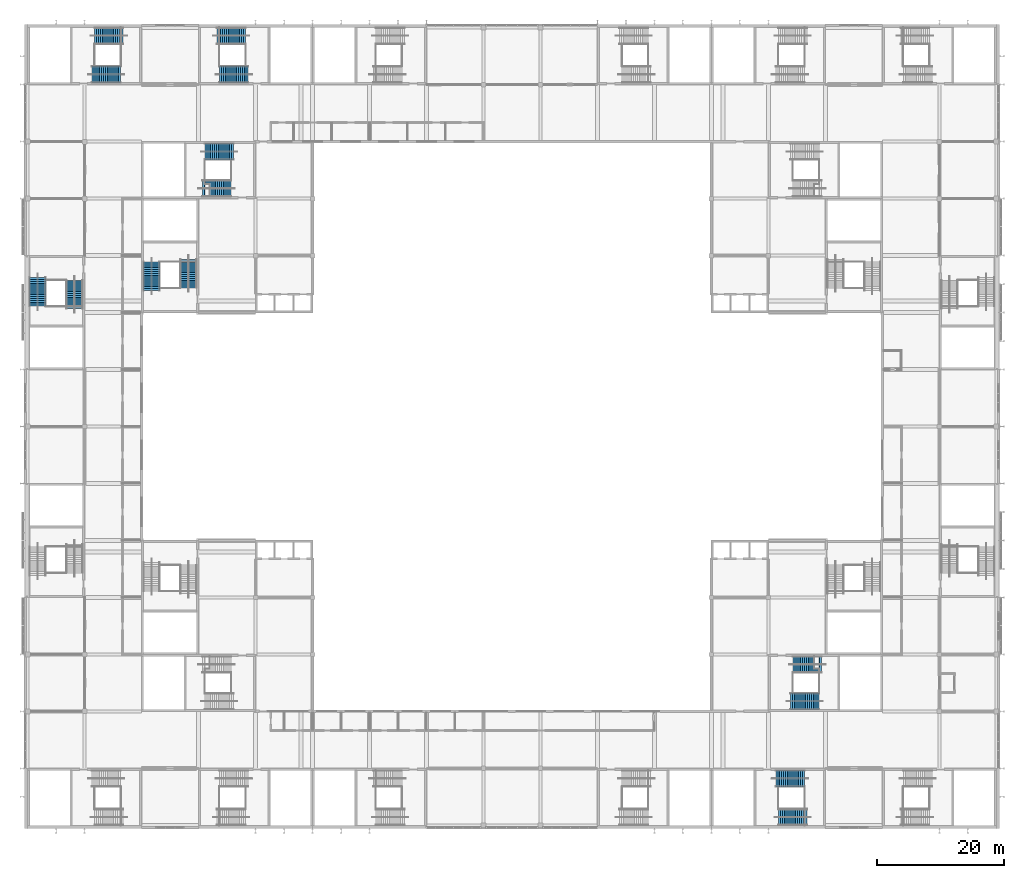
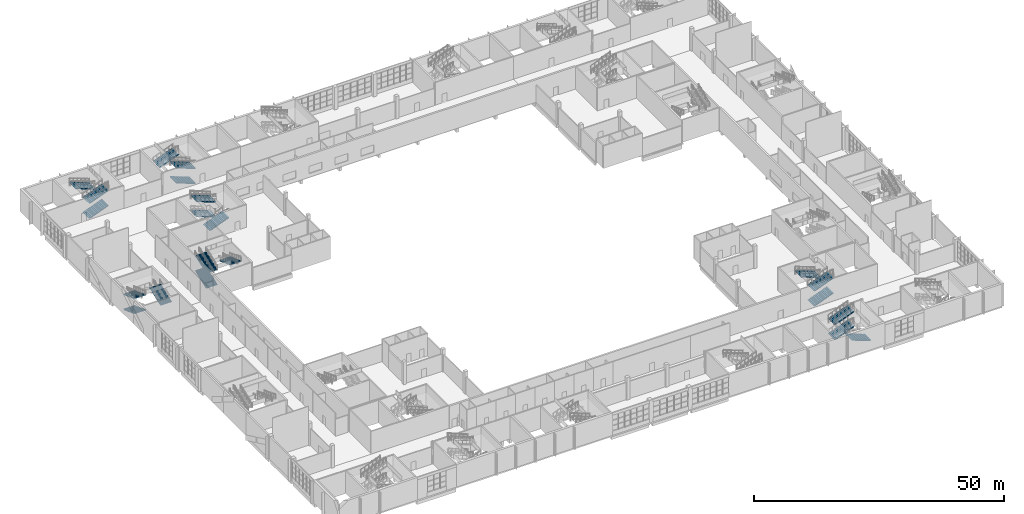
# One storey, part 45 of 84: 21 stair flights, 7 elements without a shape of their own.
"""IFC4 building model written with IfcOpenShell, lengths in metres."""

import ifcopenshell
import ifcopenshell.guid

model = None  # the IFC model being written
_history = None  # IfcOwnerHistory: only IFC2X3 demands one
_inside = {}  # id of a spatial element -> (the spatial element, [elements in it])
_under = {}  # id of a project, library or spatial element -> (it, [spatial elements below it])
_declared = {}  # id of a project -> (the project, [libraries it declares])
_typed = {}  # id of a type object -> (the type object, [elements of that type])
_made_of = {}  # id of a material, layer set ... -> (it, [elements and type objects made of it])


def new_model(schema):
    """Start an empty IFC model of exactly this schema.

    Asked for "IFC4X3", IfcOpenShell would pick the latest addendum, in which some entities
    have other attributes; the version numbers below select the first issue.
    IFC2X3 requires an IfcOwnerHistory on every rooted entity: one is made here for all.
    """
    global model, _history
    if schema == "IFC4X3":
        model = ifcopenshell.file(schema_version=(4, 3, 0, 0))
    else:
        model = ifcopenshell.file(schema=schema)
    _inside.clear()
    _under.clear()
    _declared.clear()
    _typed.clear()
    _made_of.clear()
    _history = None
    if model.schema == "IFC2X3":
        org = make("IfcOrganization", Name="unknown")
        user = make(
            "IfcPersonAndOrganization",
            ThePerson=make("IfcPerson", FamilyName="unknown"),
            TheOrganization=org,
        )
        app = make(
            "IfcApplication",
            ApplicationDeveloper=org,
            Version="unknown",
            ApplicationFullName="unknown",
            ApplicationIdentifier="unknown",
        )
        _history = make(
            "IfcOwnerHistory",
            OwningUser=user,
            OwningApplication=app,
            ChangeAction="ADDED",
            CreationDate=0,
        )
    return model


def make(cls, **values):
    """One entity of the class cls with the attributes given. An attribute that is None is left unset."""
    return model.create_entity(
        cls, **{name: value for name, value in values.items() if value is not None}
    )


def rooted(cls, **values):
    """An entity with a GlobalId (a new one), such as an element, a storey or a relation."""
    return make(cls, GlobalId=ifcopenshell.guid.new(), OwnerHistory=_history, **values)


def si_unit(unit_type, name, prefix=None):
    """IfcSIUnit, for example si_unit("LENGTHUNIT", "METRE", prefix="MILLI")."""
    return make("IfcSIUnit", UnitType=unit_type, Prefix=prefix, Name=name)


def assignment(units):
    """IfcUnitAssignment: the units of a project."""
    return None if units is None else make("IfcUnitAssignment", Units=units)


def point(xyz):
    """IfcCartesianPoint."""
    return None if xyz is None else make("IfcCartesianPoint", Coordinates=xyz)


def direction(xyz):
    """IfcDirection."""
    return None if xyz is None else make("IfcDirection", DirectionRatios=xyz)


def frame(location, z_axis=None, x_axis=None):
    """IfcAxis2Placement3D, a coordinate frame: its origin and axes. An axis left out is left unset."""
    return make(
        "IfcAxis2Placement3D",
        Location=point(location),
        Axis=direction(z_axis),
        RefDirection=direction(x_axis),
    )


def origin():
    """The frame at (0, 0, 0) with its axes left unset."""
    return frame((0.0, 0.0, 0.0))


def place(relative_to, where):
    """IfcLocalPlacement: puts the frame where relative to a parent placement (None: the world)."""
    return make(
        "IfcLocalPlacement", PlacementRelTo=relative_to, RelativePlacement=where
    )


def context(
    kind, dimensions, precision=None, world=None, true_north=None, identifier=None
):
    """IfcGeometricRepresentationContext, for example the 3D "Model" context."""
    return make(
        "IfcGeometricRepresentationContext",
        ContextIdentifier=identifier,
        ContextType=kind,
        CoordinateSpaceDimension=dimensions,
        Precision=precision,
        WorldCoordinateSystem=world,
        TrueNorth=true_north,
    )


def subcontext(parent, identifier, kind, view, scale=None):
    """IfcGeometricRepresentationSubContext, for example "Body" below "Model"."""
    return make(
        "IfcGeometricRepresentationSubContext",
        ContextIdentifier=identifier,
        ContextType=kind,
        ParentContext=parent,
        TargetScale=scale,
        TargetView=view,
    )


def project(units=None, contexts=None):
    """IfcProject with its units and contexts."""
    return rooted(
        "IfcProject",
        Name="project",
        RepresentationContexts=contexts,
        UnitsInContext=assignment(units),
    )


def spatial(cls, under=None, at=None, **own):
    """A site, building, storey or space (cls), placed at a placement, below another one or the project."""
    s = rooted(cls, ObjectPlacement=at, **own)
    if under is not None:
        _under.setdefault(under.id(), (under, []))[1].append(s)
    return s


def polyline(points):
    """IfcPolyline through the points."""
    return make("IfcPolyline", Points=[point(p) for p in points])


def outline(outer, holes=None, kind="AREA"):
    """IfcArbitraryClosedProfileDef: a profile drawn as a closed curve; with holes, ...WithVoids."""
    if holes is None:
        return make("IfcArbitraryClosedProfileDef", ProfileType=kind, OuterCurve=outer)
    return make(
        "IfcArbitraryProfileDefWithVoids",
        ProfileType=kind,
        OuterCurve=outer,
        InnerCurves=holes,
    )


def extrude(swept, where, along, depth):
    """IfcExtrudedAreaSolid: the profile swept, set in the frame where, extruded along a direction by depth."""
    return make(
        "IfcExtrudedAreaSolid",
        SweptArea=swept,
        Position=where,
        ExtrudedDirection=direction(along),
        Depth=depth,
    )


def shape(context_of_items, identifier, shape_type, items):
    """IfcShapeRepresentation: the items that make up one representation, for example the "Body"."""
    return make(
        "IfcShapeRepresentation",
        ContextOfItems=context_of_items,
        RepresentationIdentifier=identifier,
        RepresentationType=shape_type,
        Items=items,
    )


def material(Name=None, Category=None):
    """IfcMaterial."""
    return make("IfcMaterial", Name=Name, Category=Category)


def made_of(thing, what):
    """Note that an element or type object is made of a material, layer set ...; save() writes the relation."""
    if what is not None:
        _made_of.setdefault(what.id(), (what, []))[1].append(thing)
    return thing


def type_object(cls, material=None, **own):
    """A type object (cls), such as IfcWallType, which elements share."""
    return made_of(rooted(cls, **own), material)


def element(
    cls,
    number,
    at=None,
    inside=None,
    cuts=None,
    type_object=None,
    material=None,
    context=None,
    identifier="Body",
    shape_type=None,
    held_by="IfcProductDefinitionShape",
    body=None,
    shapes=None,
    **own,
):
    """One element of the class cls, such as IfcWall. Its Tag is "e" and its number.

    at: its placement. inside: the storey or other place that contains it. cuts: it is an
    opening in that element (IfcRelVoidsElement). A single representation is given by context,
    identifier, shape_type and body (its items); several are given by shapes. held_by: the class
    of the entity that holds the representations. save() writes the other relations.
    """
    e = rooted(cls, Tag="e%d" % number, ObjectPlacement=at, **own)
    if body is not None:
        shapes = [shape(context, identifier, shape_type, body)]
    if shapes is not None:
        e.Representation = make(held_by, Representations=shapes)
    if inside is not None:
        _inside.setdefault(inside.id(), (inside, []))[1].append(e)
    if cuts is not None:
        rooted(
            "IfcRelVoidsElement", RelatingBuildingElement=cuts, RelatedOpeningElement=e
        )
    if type_object is not None:
        _typed.setdefault(type_object.id(), (type_object, []))[1].append(e)
    return made_of(e, material)


def aggregate(whole, parts):
    """IfcRelAggregates: a whole, such as a stair, and the parts it consists of."""
    return rooted("IfcRelAggregates", RelatingObject=whole, RelatedObjects=parts)


def save(model, path):
    """Write the relations noted so far, then the file.

    IfcRelAggregates (storeys below a building ...), IfcRelContainedInSpatialStructure (elements
    in a storey), IfcRelDefinesByType, IfcRelAssociatesMaterial and IfcRelDeclares: one each for
    every whole, place, type object, material and project.
    """
    for whole, parts in _under.values():
        aggregate(whole, parts)
    for where, things in _inside.values():
        rooted(
            "IfcRelContainedInSpatialStructure",
            RelatedElements=things,
            RelatingStructure=where,
        )
    for kind, things in _typed.values():
        rooted("IfcRelDefinesByType", RelatedObjects=things, RelatingType=kind)
    for what, things in _made_of.values():
        rooted("IfcRelAssociatesMaterial", RelatedObjects=things, RelatingMaterial=what)
    for by, libraries in _declared.values():
        rooted("IfcRelDeclares", RelatingContext=by, RelatedDefinitions=libraries)
    model.write(path)


model = new_model("IFC4")

# Units and contexts
model_context = context("Model", 3, precision=1e-05, world=origin(), true_north=direction((0.0, 1.0)))
body_context = subcontext(model_context, "Body", "Model", "MODEL_VIEW")
ifc_project = project(units=[si_unit("LENGTHUNIT", "METRE"), si_unit("AREAUNIT", "SQUARE_METRE"), si_unit("VOLUMEUNIT", "CUBIC_METRE"), si_unit("PLANEANGLEUNIT", "RADIAN"), si_unit("MASSUNIT", "GRAM", prefix="KILO")], contexts=[model_context])

# Site, building, storey
site_placement = place(None, origin())
site = spatial("IfcSite", under=ifc_project, at=site_placement, CompositionType="ELEMENT")
building_placement = place(site_placement, origin())
building = spatial("IfcBuilding", under=site, at=building_placement, Name="Silverbay Arena", CompositionType="ELEMENT")
storey_placement = place(building_placement, frame((0.0, 0.0, 28.0)))
storey = spatial("IfcBuildingStorey", under=building, at=storey_placement, Name="L04", CompositionType="ELEMENT", Elevation=28.0)

# Stair, stair flights
ifc_material_1 = material(Name="Concrete Grade C45", Category="concrete")
stair_type = type_object("IfcStairType", Name="Stair 2600 wide 48 risers 114.6 x 300", PredefinedType="HALF_TURN_STAIR", material=ifc_material_1)
stair_1_placement = place(storey_placement, origin())
stair_1 = element("IfcStair", 1, at=stair_1_placement, inside=storey, type_object=stair_type, Name="Stair ST-S4 L04 to L05", PredefinedType="HALF_TURN_STAIR")
ifc_material_2 = material(Name="Concrete Grade C45", Category="concrete")
stair_flight_type = type_object("IfcStairFlightType", Name="Stair flight 2600 wide 16 risers 114.6 x 300", PredefinedType="STRAIGHT", material=ifc_material_2)
stair_flight_1_placement = place(storey_placement, frame((172.1796875, 25.39990234375, 0.0), z_axis=(0.0, 0.0, 1.0), x_axis=(1.0, 0.0, 0.0)))
stair_flight_1 = element("IfcStairFlight", 2, at=stair_flight_1_placement, type_object=stair_flight_type, Name="Stair ST-S4 L04 to L05 flight 1", NumberOfRisers=16, NumberOfTreads=15, PredefinedType="STRAIGHT", RiserHeight=0.114583333, TreadLength=0.3, context=body_context, shape_type="SweptSolid", body=[
    extrude(outline(polyline([(0.0, 0.0), (0.0, 0.114501953125), (0.300048828125, 0.114501953125), (0.300048828125, 0.229248046875), (0.60009765625, 0.229248046875), (0.60009765625, 0.34375), (0.89990234375, 0.34375), (0.89990234375, 0.458251953125), (1.199951171875, 0.458251953125), (1.199951171875, 0.572998046875), (1.5, 0.572998046875), (1.5, 0.6875), (1.800048828125, 0.6875), (1.800048828125, 0.802001953125), (2.10009765625, 0.802001953125), (2.10009765625, 0.916748046875), (2.39990234375, 0.916748046875), (2.39990234375, 1.03125), (2.699951171875, 1.03125), (2.699951171875, 1.145751953125), (3.0, 1.145751953125), (3.0, 1.260498046875), (3.300048828125, 1.260498046875), (3.300048828125, 1.375), (3.60009765625, 1.375), (3.60009765625, 1.489501953125), (3.89990234375, 1.489501953125), (3.89990234375, 1.604248046875), (4.199951171875, 1.604248046875), (4.199951171875, 1.71875), (4.5, 1.71875), (4.5, 1.558349609375), (0.420166015625, 0.0), (0.0, 0.0)])), frame((0.0, 1.300048828125, 0.0), z_axis=(0.0, -1.0, 0.0), x_axis=(1.0, 0.0, 0.0)), (0.0, 0.0, 1.0), 2.60009765625),
])
stair_flight_2_placement = place(storey_placement, frame((177.10009765625, 19.300048828125, 1.833251953125), z_axis=(0.0, 0.0, 1.0), x_axis=(-1.0, 0.0, 0.0)))
stair_flight_2 = element("IfcStairFlight", 3, at=stair_flight_2_placement, type_object=stair_flight_type, Name="Stair ST-S4 L04 to L05 flight 2", NumberOfRisers=16, NumberOfTreads=15, PredefinedType="STRAIGHT", RiserHeight=0.114583333, TreadLength=0.3, context=body_context, shape_type="SweptSolid", body=[
    extrude(outline(polyline([(0.0, 0.0), (0.0, 0.114501953125), (0.300048828125, 0.114501953125), (0.300048828125, 0.229248046875), (0.60009765625, 0.229248046875), (0.60009765625, 0.34375), (0.89990234375, 0.34375), (0.89990234375, 0.458251953125), (1.199951171875, 0.458251953125), (1.199951171875, 0.572998046875), (1.5, 0.572998046875), (1.5, 0.6875), (1.800048828125, 0.6875), (1.800048828125, 0.802001953125), (2.10009765625, 0.802001953125), (2.10009765625, 0.916748046875), (2.39990234375, 0.916748046875), (2.39990234375, 1.03125), (2.699951171875, 1.03125), (2.699951171875, 1.145751953125), (3.0, 1.145751953125), (3.0, 1.260498046875), (3.300048828125, 1.260498046875), (3.300048828125, 1.375), (3.60009765625, 1.375), (3.60009765625, 1.489501953125), (3.89990234375, 1.489501953125), (3.89990234375, 1.604248046875), (4.199951171875, 1.604248046875), (4.199951171875, 1.71875), (4.5, 1.71875), (4.5, 1.558349609375), (0.420166015625, 0.0), (0.0, 0.0)])), frame((0.0, 1.300048828125, 0.0), z_axis=(0.0, -1.0, 0.0), x_axis=(1.0, 0.0, 0.0)), (0.0, 0.0, 1.0), 2.60009765625),
])
stair_flight_3_placement = place(storey_placement, frame((172.1796875, 25.39990234375, 3.666748046875), z_axis=(0.0, 0.0, 1.0), x_axis=(1.0, 0.0, 0.0)))
stair_flight_3 = element("IfcStairFlight", 4, at=stair_flight_3_placement, type_object=stair_flight_type, Name="Stair ST-S4 L04 to L05 flight 3", NumberOfRisers=16, NumberOfTreads=15, PredefinedType="STRAIGHT", RiserHeight=0.114583333, TreadLength=0.3, context=body_context, shape_type="SweptSolid", body=[
    extrude(outline(polyline([(0.0, 0.0), (0.0, 0.114501953125), (0.300048828125, 0.114501953125), (0.300048828125, 0.229248046875), (0.60009765625, 0.229248046875), (0.60009765625, 0.34375), (0.89990234375, 0.34375), (0.89990234375, 0.458251953125), (1.199951171875, 0.458251953125), (1.199951171875, 0.572998046875), (1.5, 0.572998046875), (1.5, 0.6875), (1.800048828125, 0.6875), (1.800048828125, 0.802001953125), (2.10009765625, 0.802001953125), (2.10009765625, 0.916748046875), (2.39990234375, 0.916748046875), (2.39990234375, 1.03125), (2.699951171875, 1.03125), (2.699951171875, 1.145751953125), (3.0, 1.145751953125), (3.0, 1.260498046875), (3.300048828125, 1.260498046875), (3.300048828125, 1.375), (3.60009765625, 1.375), (3.60009765625, 1.489501953125), (3.89990234375, 1.489501953125), (3.89990234375, 1.604248046875), (4.199951171875, 1.604248046875), (4.199951171875, 1.71875), (4.5, 1.71875), (4.5, 1.558349609375), (0.420166015625, 0.0), (0.0, 0.0)])), frame((0.0, 1.300048828125, 0.0), z_axis=(0.0, -1.0, 0.0), x_axis=(1.0, 0.0, 0.0)), (0.0, 0.0, 1.0), 2.60009765625),
])
aggregate(stair_1, [stair_flight_1, stair_flight_2, stair_flight_3])

stair_2_placement = place(storey_placement, origin())
stair_2 = element("IfcStair", 5, at=stair_2_placement, inside=storey, type_object=stair_type, Name="Stair ST-N1 L04 to L05", PredefinedType="HALF_TURN_STAIR")
stair_flight_4_placement = place(storey_placement, frame((88.8203125, 136.60009765625, 0.0), z_axis=(0.0, 0.0, 1.0), x_axis=(-1.0, 0.0, 0.0)))
stair_flight_4 = element("IfcStairFlight", 6, at=stair_flight_4_placement, type_object=stair_flight_type, Name="Stair ST-N1 L04 to L05 flight 1", NumberOfRisers=16, NumberOfTreads=15, PredefinedType="STRAIGHT", RiserHeight=0.114583333, TreadLength=0.3, context=body_context, shape_type="SweptSolid", body=[
    extrude(outline(polyline([(0.0, 0.0), (0.0, 0.114501953125), (0.300048828125, 0.114501953125), (0.300048828125, 0.229248046875), (0.60009765625, 0.229248046875), (0.60009765625, 0.34375), (0.89990234375, 0.34375), (0.89990234375, 0.458251953125), (1.199951171875, 0.458251953125), (1.199951171875, 0.572998046875), (1.5, 0.572998046875), (1.5, 0.6875), (1.800048828125, 0.6875), (1.800048828125, 0.802001953125), (2.10009765625, 0.802001953125), (2.10009765625, 0.916748046875), (2.39990234375, 0.916748046875), (2.39990234375, 1.03125), (2.699951171875, 1.03125), (2.699951171875, 1.145751953125), (3.0, 1.145751953125), (3.0, 1.260498046875), (3.300048828125, 1.260498046875), (3.300048828125, 1.375), (3.60009765625, 1.375), (3.60009765625, 1.489501953125), (3.89990234375, 1.489501953125), (3.89990234375, 1.604248046875), (4.199951171875, 1.604248046875), (4.199951171875, 1.71875), (4.5, 1.71875), (4.5, 1.558349609375), (0.420166015625, 0.0), (0.0, 0.0)])), frame((0.0, 1.300048828125, 0.0), z_axis=(0.0, -1.0, 0.0), x_axis=(1.0, 0.0, 0.0)), (0.0, 0.0, 1.0), 2.60009765625),
])
stair_flight_5_placement = place(storey_placement, frame((83.89990234375, 142.699951171875, 1.833251953125), z_axis=(0.0, 0.0, 1.0), x_axis=(1.0, 0.0, 0.0)))
stair_flight_5 = element("IfcStairFlight", 7, at=stair_flight_5_placement, type_object=stair_flight_type, Name="Stair ST-N1 L04 to L05 flight 2", NumberOfRisers=16, NumberOfTreads=15, PredefinedType="STRAIGHT", RiserHeight=0.114583333, TreadLength=0.3, context=body_context, shape_type="SweptSolid", body=[
    extrude(outline(polyline([(0.0, 0.0), (0.0, 0.114501953125), (0.300048828125, 0.114501953125), (0.300048828125, 0.229248046875), (0.60009765625, 0.229248046875), (0.60009765625, 0.34375), (0.89990234375, 0.34375), (0.89990234375, 0.458251953125), (1.199951171875, 0.458251953125), (1.199951171875, 0.572998046875), (1.5, 0.572998046875), (1.5, 0.6875), (1.800048828125, 0.6875), (1.800048828125, 0.802001953125), (2.10009765625, 0.802001953125), (2.10009765625, 0.916748046875), (2.39990234375, 0.916748046875), (2.39990234375, 1.03125), (2.699951171875, 1.03125), (2.699951171875, 1.145751953125), (3.0, 1.145751953125), (3.0, 1.260498046875), (3.300048828125, 1.260498046875), (3.300048828125, 1.375), (3.60009765625, 1.375), (3.60009765625, 1.489501953125), (3.89990234375, 1.489501953125), (3.89990234375, 1.604248046875), (4.199951171875, 1.604248046875), (4.199951171875, 1.71875), (4.5, 1.71875), (4.5, 1.558349609375), (0.420166015625, 0.0), (0.0, 0.0)])), frame((0.0, 1.300048828125, 0.0), z_axis=(0.0, -1.0, 0.0), x_axis=(1.0, 0.0, 0.0)), (0.0, 0.0, 1.0), 2.60009765625),
])
stair_flight_6_placement = place(storey_placement, frame((88.8203125, 136.60009765625, 3.666748046875), z_axis=(0.0, 0.0, 1.0), x_axis=(-1.0, 0.0, 0.0)))
stair_flight_6 = element("IfcStairFlight", 8, at=stair_flight_6_placement, type_object=stair_flight_type, Name="Stair ST-N1 L04 to L05 flight 3", NumberOfRisers=16, NumberOfTreads=15, PredefinedType="STRAIGHT", RiserHeight=0.114583333, TreadLength=0.3, context=body_context, shape_type="SweptSolid", body=[
    extrude(outline(polyline([(0.0, 0.0), (0.0, 0.114501953125), (0.300048828125, 0.114501953125), (0.300048828125, 0.229248046875), (0.60009765625, 0.229248046875), (0.60009765625, 0.34375), (0.89990234375, 0.34375), (0.89990234375, 0.458251953125), (1.199951171875, 0.458251953125), (1.199951171875, 0.572998046875), (1.5, 0.572998046875), (1.5, 0.6875), (1.800048828125, 0.6875), (1.800048828125, 0.802001953125), (2.10009765625, 0.802001953125), (2.10009765625, 0.916748046875), (2.39990234375, 0.916748046875), (2.39990234375, 1.03125), (2.699951171875, 1.03125), (2.699951171875, 1.145751953125), (3.0, 1.145751953125), (3.0, 1.260498046875), (3.300048828125, 1.260498046875), (3.300048828125, 1.375), (3.60009765625, 1.375), (3.60009765625, 1.489501953125), (3.89990234375, 1.489501953125), (3.89990234375, 1.604248046875), (4.199951171875, 1.604248046875), (4.199951171875, 1.71875), (4.5, 1.71875), (4.5, 1.558349609375), (0.420166015625, 0.0), (0.0, 0.0)])), frame((0.0, 1.300048828125, 0.0), z_axis=(0.0, -1.0, 0.0), x_axis=(1.0, 0.0, 0.0)), (0.0, 0.0, 1.0), 2.60009765625),
])
aggregate(stair_2, [stair_flight_4, stair_flight_5, stair_flight_6])

stair_3_placement = place(storey_placement, origin())
stair_3 = element("IfcStair", 9, at=stair_3_placement, inside=storey, type_object=stair_type, Name="Stair ST-N5 L04 to L05", PredefinedType="HALF_TURN_STAIR")
stair_flight_7_placement = place(storey_placement, frame((64.1796875, 136.60009765625, 0.0), z_axis=(0.0, 0.0, 1.0), x_axis=(1.0, 0.0, 0.0)))
stair_flight_7 = element("IfcStairFlight", 10, at=stair_flight_7_placement, type_object=stair_flight_type, Name="Stair ST-N5 L04 to L05 flight 1", NumberOfRisers=16, NumberOfTreads=15, PredefinedType="STRAIGHT", RiserHeight=0.114583333, TreadLength=0.3, context=body_context, shape_type="SweptSolid", body=[
    extrude(outline(polyline([(0.0, 0.0), (0.0, 0.114501953125), (0.300048828125, 0.114501953125), (0.300048828125, 0.229248046875), (0.60009765625, 0.229248046875), (0.60009765625, 0.34375), (0.89990234375, 0.34375), (0.89990234375, 0.458251953125), (1.199951171875, 0.458251953125), (1.199951171875, 0.572998046875), (1.5, 0.572998046875), (1.5, 0.6875), (1.800048828125, 0.6875), (1.800048828125, 0.802001953125), (2.10009765625, 0.802001953125), (2.10009765625, 0.916748046875), (2.39990234375, 0.916748046875), (2.39990234375, 1.03125), (2.699951171875, 1.03125), (2.699951171875, 1.145751953125), (3.0, 1.145751953125), (3.0, 1.260498046875), (3.300048828125, 1.260498046875), (3.300048828125, 1.375), (3.60009765625, 1.375), (3.60009765625, 1.489501953125), (3.89990234375, 1.489501953125), (3.89990234375, 1.604248046875), (4.199951171875, 1.604248046875), (4.199951171875, 1.71875), (4.5, 1.71875), (4.5, 1.558349609375), (0.420166015625, 0.0), (0.0, 0.0)])), frame((0.0, 1.300048828125, 0.0), z_axis=(0.0, -1.0, 0.0), x_axis=(1.0, 0.0, 0.0)), (0.0, 0.0, 1.0), 2.60009765625),
])
stair_flight_8_placement = place(storey_placement, frame((69.10009765625, 142.699951171875, 1.833251953125), z_axis=(0.0, 0.0, 1.0), x_axis=(-1.0, 0.0, 0.0)))
stair_flight_8 = element("IfcStairFlight", 11, at=stair_flight_8_placement, type_object=stair_flight_type, Name="Stair ST-N5 L04 to L05 flight 2", NumberOfRisers=16, NumberOfTreads=15, PredefinedType="STRAIGHT", RiserHeight=0.114583333, TreadLength=0.3, context=body_context, shape_type="SweptSolid", body=[
    extrude(outline(polyline([(0.0, 0.0), (0.0, 0.114501953125), (0.300048828125, 0.114501953125), (0.300048828125, 0.229248046875), (0.60009765625, 0.229248046875), (0.60009765625, 0.34375), (0.89990234375, 0.34375), (0.89990234375, 0.458251953125), (1.199951171875, 0.458251953125), (1.199951171875, 0.572998046875), (1.5, 0.572998046875), (1.5, 0.6875), (1.800048828125, 0.6875), (1.800048828125, 0.802001953125), (2.10009765625, 0.802001953125), (2.10009765625, 0.916748046875), (2.39990234375, 0.916748046875), (2.39990234375, 1.03125), (2.699951171875, 1.03125), (2.699951171875, 1.145751953125), (3.0, 1.145751953125), (3.0, 1.260498046875), (3.300048828125, 1.260498046875), (3.300048828125, 1.375), (3.60009765625, 1.375), (3.60009765625, 1.489501953125), (3.89990234375, 1.489501953125), (3.89990234375, 1.604248046875), (4.199951171875, 1.604248046875), (4.199951171875, 1.71875), (4.5, 1.71875), (4.5, 1.558349609375), (0.420166015625, 0.0), (0.0, 0.0)])), frame((0.0, 1.300048828125, 0.0), z_axis=(0.0, -1.0, 0.0), x_axis=(1.0, 0.0, 0.0)), (0.0, 0.0, 1.0), 2.60009765625),
])
stair_flight_9_placement = place(storey_placement, frame((64.1796875, 136.60009765625, 3.666748046875), z_axis=(0.0, 0.0, 1.0), x_axis=(1.0, 0.0, 0.0)))
stair_flight_9 = element("IfcStairFlight", 12, at=stair_flight_9_placement, type_object=stair_flight_type, Name="Stair ST-N5 L04 to L05 flight 3", NumberOfRisers=16, NumberOfTreads=15, PredefinedType="STRAIGHT", RiserHeight=0.114583333, TreadLength=0.3, context=body_context, shape_type="SweptSolid", body=[
    extrude(outline(polyline([(0.0, 0.0), (0.0, 0.114501953125), (0.300048828125, 0.114501953125), (0.300048828125, 0.229248046875), (0.60009765625, 0.229248046875), (0.60009765625, 0.34375), (0.89990234375, 0.34375), (0.89990234375, 0.458251953125), (1.199951171875, 0.458251953125), (1.199951171875, 0.572998046875), (1.5, 0.572998046875), (1.5, 0.6875), (1.800048828125, 0.6875), (1.800048828125, 0.802001953125), (2.10009765625, 0.802001953125), (2.10009765625, 0.916748046875), (2.39990234375, 0.916748046875), (2.39990234375, 1.03125), (2.699951171875, 1.03125), (2.699951171875, 1.145751953125), (3.0, 1.145751953125), (3.0, 1.260498046875), (3.300048828125, 1.260498046875), (3.300048828125, 1.375), (3.60009765625, 1.375), (3.60009765625, 1.489501953125), (3.89990234375, 1.489501953125), (3.89990234375, 1.604248046875), (4.199951171875, 1.604248046875), (4.199951171875, 1.71875), (4.5, 1.71875), (4.5, 1.558349609375), (0.420166015625, 0.0), (0.0, 0.0)])), frame((0.0, 1.300048828125, 0.0), z_axis=(0.0, -1.0, 0.0), x_axis=(1.0, 0.0, 0.0)), (0.0, 0.0, 1.0), 2.60009765625),
])
aggregate(stair_3, [stair_flight_7, stair_flight_8, stair_flight_9])

stair_4_placement = place(storey_placement, origin())
stair_4 = element("IfcStair", 13, at=stair_4_placement, inside=storey, type_object=stair_type, Name="Stair ST-W2 L04 to L05", PredefinedType="HALF_TURN_STAIR")
stair_flight_10_placement = place(storey_placement, frame((55.60009765625, 104.5205078125, 0.0), z_axis=(0.0, 0.0, 1.0), x_axis=(0.0, -1.0, 0.0)))
stair_flight_10 = element("IfcStairFlight", 14, at=stair_flight_10_placement, type_object=stair_flight_type, Name="Stair ST-W2 L04 to L05 flight 1", NumberOfRisers=16, NumberOfTreads=15, PredefinedType="STRAIGHT", RiserHeight=0.114583333, TreadLength=0.3, context=body_context, shape_type="SweptSolid", body=[
    extrude(outline(polyline([(0.0, 0.0), (0.0, 0.114501953125), (0.300048828125, 0.114501953125), (0.300048828125, 0.229248046875), (0.60009765625, 0.229248046875), (0.60009765625, 0.34375), (0.89990234375, 0.34375), (0.89990234375, 0.458251953125), (1.199951171875, 0.458251953125), (1.199951171875, 0.572998046875), (1.5, 0.572998046875), (1.5, 0.6875), (1.800048828125, 0.6875), (1.800048828125, 0.802001953125), (2.10009765625, 0.802001953125), (2.10009765625, 0.916748046875), (2.39990234375, 0.916748046875), (2.39990234375, 1.03125), (2.699951171875, 1.03125), (2.699951171875, 1.145751953125), (3.0, 1.145751953125), (3.0, 1.260498046875), (3.300048828125, 1.260498046875), (3.300048828125, 1.375), (3.60009765625, 1.375), (3.60009765625, 1.489501953125), (3.89990234375, 1.489501953125), (3.89990234375, 1.604248046875), (4.199951171875, 1.604248046875), (4.199951171875, 1.71875), (4.5, 1.71875), (4.5, 1.558349609375), (0.420166015625, 0.0), (0.0, 0.0)])), frame((0.0, 1.300048828125, 0.0), z_axis=(0.0, -1.0, 0.0), x_axis=(1.0, 0.0, 0.0)), (0.0, 0.0, 1.0), 2.60009765625),
])
stair_flight_11_placement = place(storey_placement, frame((61.39990234375, 99.60009765625, 1.833251953125), z_axis=(0.0, 0.0, 1.0), x_axis=(0.0, 1.0, 0.0)))
stair_flight_11 = element("IfcStairFlight", 15, at=stair_flight_11_placement, type_object=stair_flight_type, Name="Stair ST-W2 L04 to L05 flight 2", NumberOfRisers=16, NumberOfTreads=15, PredefinedType="STRAIGHT", RiserHeight=0.114583333, TreadLength=0.3, context=body_context, shape_type="SweptSolid", body=[
    extrude(outline(polyline([(0.0, 0.0), (0.0, 0.114501953125), (0.300048828125, 0.114501953125), (0.300048828125, 0.229248046875), (0.60009765625, 0.229248046875), (0.60009765625, 0.34375), (0.89990234375, 0.34375), (0.89990234375, 0.458251953125), (1.199951171875, 0.458251953125), (1.199951171875, 0.572998046875), (1.5, 0.572998046875), (1.5, 0.6875), (1.800048828125, 0.6875), (1.800048828125, 0.802001953125), (2.10009765625, 0.802001953125), (2.10009765625, 0.916748046875), (2.39990234375, 0.916748046875), (2.39990234375, 1.03125), (2.699951171875, 1.03125), (2.699951171875, 1.145751953125), (3.0, 1.145751953125), (3.0, 1.260498046875), (3.300048828125, 1.260498046875), (3.300048828125, 1.375), (3.60009765625, 1.375), (3.60009765625, 1.489501953125), (3.89990234375, 1.489501953125), (3.89990234375, 1.604248046875), (4.199951171875, 1.604248046875), (4.199951171875, 1.71875), (4.5, 1.71875), (4.5, 1.558349609375), (0.420166015625, 0.0), (0.0, 0.0)])), frame((0.0, 1.300048828125, 0.0), z_axis=(0.0, -1.0, 0.0), x_axis=(1.0, 0.0, 0.0)), (0.0, 0.0, 1.0), 2.60009765625),
])
stair_flight_12_placement = place(storey_placement, frame((55.60009765625, 104.5205078125, 3.666748046875), z_axis=(0.0, 0.0, 1.0), x_axis=(0.0, -1.0, 0.0)))
stair_flight_12 = element("IfcStairFlight", 16, at=stair_flight_12_placement, type_object=stair_flight_type, Name="Stair ST-W2 L04 to L05 flight 3", NumberOfRisers=16, NumberOfTreads=15, PredefinedType="STRAIGHT", RiserHeight=0.114583333, TreadLength=0.3, context=body_context, shape_type="SweptSolid", body=[
    extrude(outline(polyline([(0.0, 0.0), (0.0, 0.114501953125), (0.300048828125, 0.114501953125), (0.300048828125, 0.229248046875), (0.60009765625, 0.229248046875), (0.60009765625, 0.34375), (0.89990234375, 0.34375), (0.89990234375, 0.458251953125), (1.199951171875, 0.458251953125), (1.199951171875, 0.572998046875), (1.5, 0.572998046875), (1.5, 0.6875), (1.800048828125, 0.6875), (1.800048828125, 0.802001953125), (2.10009765625, 0.802001953125), (2.10009765625, 0.916748046875), (2.39990234375, 0.916748046875), (2.39990234375, 1.03125), (2.699951171875, 1.03125), (2.699951171875, 1.145751953125), (3.0, 1.145751953125), (3.0, 1.260498046875), (3.300048828125, 1.260498046875), (3.300048828125, 1.375), (3.60009765625, 1.375), (3.60009765625, 1.489501953125), (3.89990234375, 1.489501953125), (3.89990234375, 1.604248046875), (4.199951171875, 1.604248046875), (4.199951171875, 1.71875), (4.5, 1.71875), (4.5, 1.558349609375), (0.420166015625, 0.0), (0.0, 0.0)])), frame((0.0, 1.300048828125, 0.0), z_axis=(0.0, -1.0, 0.0), x_axis=(1.0, 0.0, 0.0)), (0.0, 0.0, 1.0), 2.60009765625),
])
aggregate(stair_4, [stair_flight_10, stair_flight_11, stair_flight_12])

stair_5_placement = place(storey_placement, origin())
stair_5 = element("IfcStair", 17, at=stair_5_placement, inside=storey, type_object=stair_type, Name="Stair ST-SE1 L04 to L05", PredefinedType="HALF_TURN_STAIR")
stair_flight_13_placement = place(storey_placement, frame((174.4794921875, 37.60009765625, 0.0), z_axis=(0.0, 0.0, 1.0), x_axis=(1.0, 0.0, 0.0)))
stair_flight_13 = element("IfcStairFlight", 18, at=stair_flight_13_placement, type_object=stair_flight_type, Name="Stair ST-SE1 L04 to L05 flight 1", NumberOfRisers=16, NumberOfTreads=15, PredefinedType="STRAIGHT", RiserHeight=0.114583333, TreadLength=0.3, context=body_context, shape_type="SweptSolid", body=[
    extrude(outline(polyline([(0.0, 0.0), (0.0, 0.114501953125), (0.300048828125, 0.114501953125), (0.300048828125, 0.229248046875), (0.60009765625, 0.229248046875), (0.60009765625, 0.34375), (0.89990234375, 0.34375), (0.89990234375, 0.458251953125), (1.199951171875, 0.458251953125), (1.199951171875, 0.572998046875), (1.5, 0.572998046875), (1.5, 0.6875), (1.800048828125, 0.6875), (1.800048828125, 0.802001953125), (2.10009765625, 0.802001953125), (2.10009765625, 0.916748046875), (2.39990234375, 0.916748046875), (2.39990234375, 1.03125), (2.699951171875, 1.03125), (2.699951171875, 1.145751953125), (3.0, 1.145751953125), (3.0, 1.260498046875), (3.300048828125, 1.260498046875), (3.300048828125, 1.375), (3.60009765625, 1.375), (3.60009765625, 1.489501953125), (3.89990234375, 1.489501953125), (3.89990234375, 1.604248046875), (4.199951171875, 1.604248046875), (4.199951171875, 1.71875), (4.5, 1.71875), (4.5, 1.558349609375), (0.420166015625, 0.0), (0.0, 0.0)])), frame((0.0, 1.300048828125, 0.0), z_axis=(0.0, -1.0, 0.0), x_axis=(1.0, 0.0, 0.0)), (0.0, 0.0, 1.0), 2.60009765625),
])
stair_flight_14_placement = place(storey_placement, frame((179.39990234375, 43.39990234375, 1.833251953125), z_axis=(0.0, 0.0, 1.0), x_axis=(-1.0, 0.0, 0.0)))
stair_flight_14 = element("IfcStairFlight", 19, at=stair_flight_14_placement, type_object=stair_flight_type, Name="Stair ST-SE1 L04 to L05 flight 2", NumberOfRisers=16, NumberOfTreads=15, PredefinedType="STRAIGHT", RiserHeight=0.114583333, TreadLength=0.3, context=body_context, shape_type="SweptSolid", body=[
    extrude(outline(polyline([(0.0, 0.0), (0.0, 0.114501953125), (0.300048828125, 0.114501953125), (0.300048828125, 0.229248046875), (0.60009765625, 0.229248046875), (0.60009765625, 0.34375), (0.89990234375, 0.34375), (0.89990234375, 0.458251953125), (1.199951171875, 0.458251953125), (1.199951171875, 0.572998046875), (1.5, 0.572998046875), (1.5, 0.6875), (1.800048828125, 0.6875), (1.800048828125, 0.802001953125), (2.10009765625, 0.802001953125), (2.10009765625, 0.916748046875), (2.39990234375, 0.916748046875), (2.39990234375, 1.03125), (2.699951171875, 1.03125), (2.699951171875, 1.145751953125), (3.0, 1.145751953125), (3.0, 1.260498046875), (3.300048828125, 1.260498046875), (3.300048828125, 1.375), (3.60009765625, 1.375), (3.60009765625, 1.489501953125), (3.89990234375, 1.489501953125), (3.89990234375, 1.604248046875), (4.199951171875, 1.604248046875), (4.199951171875, 1.71875), (4.5, 1.71875), (4.5, 1.558349609375), (0.420166015625, 0.0), (0.0, 0.0)])), frame((0.0, 1.300048828125, 0.0), z_axis=(0.0, -1.0, 0.0), x_axis=(1.0, 0.0, 0.0)), (0.0, 0.0, 1.0), 2.60009765625),
])
stair_flight_15_placement = place(storey_placement, frame((174.4794921875, 37.60009765625, 3.666748046875), z_axis=(0.0, 0.0, 1.0), x_axis=(1.0, 0.0, 0.0)))
stair_flight_15 = element("IfcStairFlight", 20, at=stair_flight_15_placement, type_object=stair_flight_type, Name="Stair ST-SE1 L04 to L05 flight 3", NumberOfRisers=16, NumberOfTreads=15, PredefinedType="STRAIGHT", RiserHeight=0.114583333, TreadLength=0.3, context=body_context, shape_type="SweptSolid", body=[
    extrude(outline(polyline([(0.0, 0.0), (0.0, 0.114501953125), (0.300048828125, 0.114501953125), (0.300048828125, 0.229248046875), (0.60009765625, 0.229248046875), (0.60009765625, 0.34375), (0.89990234375, 0.34375), (0.89990234375, 0.458251953125), (1.199951171875, 0.458251953125), (1.199951171875, 0.572998046875), (1.5, 0.572998046875), (1.5, 0.6875), (1.800048828125, 0.6875), (1.800048828125, 0.802001953125), (2.10009765625, 0.802001953125), (2.10009765625, 0.916748046875), (2.39990234375, 0.916748046875), (2.39990234375, 1.03125), (2.699951171875, 1.03125), (2.699951171875, 1.145751953125), (3.0, 1.145751953125), (3.0, 1.260498046875), (3.300048828125, 1.260498046875), (3.300048828125, 1.375), (3.60009765625, 1.375), (3.60009765625, 1.489501953125), (3.89990234375, 1.489501953125), (3.89990234375, 1.604248046875), (4.199951171875, 1.604248046875), (4.199951171875, 1.71875), (4.5, 1.71875), (4.5, 1.558349609375), (0.420166015625, 0.0), (0.0, 0.0)])), frame((0.0, 1.300048828125, 0.0), z_axis=(0.0, -1.0, 0.0), x_axis=(1.0, 0.0, 0.0)), (0.0, 0.0, 1.0), 2.60009765625),
])
aggregate(stair_5, [stair_flight_13, stair_flight_14, stair_flight_15])

stair_6_placement = place(storey_placement, origin())
stair_6 = element("IfcStair", 21, at=stair_6_placement, inside=storey, type_object=stair_type, Name="Stair ST-NW1 L04 to L05", PredefinedType="HALF_TURN_STAIR")
stair_flight_16_placement = place(storey_placement, frame((86.5205078125, 124.39990234375, 0.0), z_axis=(0.0, 0.0, 1.0), x_axis=(-1.0, 0.0, 0.0)))
stair_flight_16 = element("IfcStairFlight", 22, at=stair_flight_16_placement, type_object=stair_flight_type, Name="Stair ST-NW1 L04 to L05 flight 1", NumberOfRisers=16, NumberOfTreads=15, PredefinedType="STRAIGHT", RiserHeight=0.114583333, TreadLength=0.3, context=body_context, shape_type="SweptSolid", body=[
    extrude(outline(polyline([(0.0, 0.0), (0.0, 0.114501953125), (0.300048828125, 0.114501953125), (0.300048828125, 0.229248046875), (0.60009765625, 0.229248046875), (0.60009765625, 0.34375), (0.89990234375, 0.34375), (0.89990234375, 0.458251953125), (1.199951171875, 0.458251953125), (1.199951171875, 0.572998046875), (1.5, 0.572998046875), (1.5, 0.6875), (1.800048828125, 0.6875), (1.800048828125, 0.802001953125), (2.10009765625, 0.802001953125), (2.10009765625, 0.916748046875), (2.39990234375, 0.916748046875), (2.39990234375, 1.03125), (2.699951171875, 1.03125), (2.699951171875, 1.145751953125), (3.0, 1.145751953125), (3.0, 1.260498046875), (3.300048828125, 1.260498046875), (3.300048828125, 1.375), (3.60009765625, 1.375), (3.60009765625, 1.489501953125), (3.89990234375, 1.489501953125), (3.89990234375, 1.604248046875), (4.199951171875, 1.604248046875), (4.199951171875, 1.71875), (4.5, 1.71875), (4.5, 1.558349609375), (0.420166015625, 0.0), (0.0, 0.0)])), frame((0.0, 1.300048828125, 0.0), z_axis=(0.0, -1.0, 0.0), x_axis=(1.0, 0.0, 0.0)), (0.0, 0.0, 1.0), 2.60009765625),
])
stair_flight_17_placement = place(storey_placement, frame((81.60009765625, 118.60009765625, 1.833251953125), z_axis=(0.0, 0.0, 1.0), x_axis=(1.0, 0.0, 0.0)))
stair_flight_17 = element("IfcStairFlight", 23, at=stair_flight_17_placement, type_object=stair_flight_type, Name="Stair ST-NW1 L04 to L05 flight 2", NumberOfRisers=16, NumberOfTreads=15, PredefinedType="STRAIGHT", RiserHeight=0.114583333, TreadLength=0.3, context=body_context, shape_type="SweptSolid", body=[
    extrude(outline(polyline([(0.0, 0.0), (0.0, 0.114501953125), (0.300048828125, 0.114501953125), (0.300048828125, 0.229248046875), (0.60009765625, 0.229248046875), (0.60009765625, 0.34375), (0.89990234375, 0.34375), (0.89990234375, 0.458251953125), (1.199951171875, 0.458251953125), (1.199951171875, 0.572998046875), (1.5, 0.572998046875), (1.5, 0.6875), (1.800048828125, 0.6875), (1.800048828125, 0.802001953125), (2.10009765625, 0.802001953125), (2.10009765625, 0.916748046875), (2.39990234375, 0.916748046875), (2.39990234375, 1.03125), (2.699951171875, 1.03125), (2.699951171875, 1.145751953125), (3.0, 1.145751953125), (3.0, 1.260498046875), (3.300048828125, 1.260498046875), (3.300048828125, 1.375), (3.60009765625, 1.375), (3.60009765625, 1.489501953125), (3.89990234375, 1.489501953125), (3.89990234375, 1.604248046875), (4.199951171875, 1.604248046875), (4.199951171875, 1.71875), (4.5, 1.71875), (4.5, 1.558349609375), (0.420166015625, 0.0), (0.0, 0.0)])), frame((0.0, 1.300048828125, 0.0), z_axis=(0.0, -1.0, 0.0), x_axis=(1.0, 0.0, 0.0)), (0.0, 0.0, 1.0), 2.60009765625),
])
stair_flight_18_placement = place(storey_placement, frame((86.5205078125, 124.39990234375, 3.666748046875), z_axis=(0.0, 0.0, 1.0), x_axis=(-1.0, 0.0, 0.0)))
stair_flight_18 = element("IfcStairFlight", 24, at=stair_flight_18_placement, type_object=stair_flight_type, Name="Stair ST-NW1 L04 to L05 flight 3", NumberOfRisers=16, NumberOfTreads=15, PredefinedType="STRAIGHT", RiserHeight=0.114583333, TreadLength=0.3, context=body_context, shape_type="SweptSolid", body=[
    extrude(outline(polyline([(0.0, 0.0), (0.0, 0.114501953125), (0.300048828125, 0.114501953125), (0.300048828125, 0.229248046875), (0.60009765625, 0.229248046875), (0.60009765625, 0.34375), (0.89990234375, 0.34375), (0.89990234375, 0.458251953125), (1.199951171875, 0.458251953125), (1.199951171875, 0.572998046875), (1.5, 0.572998046875), (1.5, 0.6875), (1.800048828125, 0.6875), (1.800048828125, 0.802001953125), (2.10009765625, 0.802001953125), (2.10009765625, 0.916748046875), (2.39990234375, 0.916748046875), (2.39990234375, 1.03125), (2.699951171875, 1.03125), (2.699951171875, 1.145751953125), (3.0, 1.145751953125), (3.0, 1.260498046875), (3.300048828125, 1.260498046875), (3.300048828125, 1.375), (3.60009765625, 1.375), (3.60009765625, 1.489501953125), (3.89990234375, 1.489501953125), (3.89990234375, 1.604248046875), (4.199951171875, 1.604248046875), (4.199951171875, 1.71875), (4.5, 1.71875), (4.5, 1.558349609375), (0.420166015625, 0.0), (0.0, 0.0)])), frame((0.0, 1.300048828125, 0.0), z_axis=(0.0, -1.0, 0.0), x_axis=(1.0, 0.0, 0.0)), (0.0, 0.0, 1.0), 2.60009765625),
])
aggregate(stair_6, [stair_flight_16, stair_flight_17, stair_flight_18])

stair_7_placement = place(storey_placement, origin())
stair_7 = element("IfcStair", 25, at=stair_7_placement, inside=storey, type_object=stair_type, Name="Stair ST-NW2 L04 to L05", PredefinedType="HALF_TURN_STAIR")
stair_flight_19_placement = place(storey_placement, frame((73.60009765625, 102.4794921875, 0.0), z_axis=(0.0, 0.0, 1.0), x_axis=(0.0, 1.0, 0.0)))
stair_flight_19 = element("IfcStairFlight", 26, at=stair_flight_19_placement, type_object=stair_flight_type, Name="Stair ST-NW2 L04 to L05 flight 1", NumberOfRisers=16, NumberOfTreads=15, PredefinedType="STRAIGHT", RiserHeight=0.114583333, TreadLength=0.3, context=body_context, shape_type="SweptSolid", body=[
    extrude(outline(polyline([(0.0, 0.0), (0.0, 0.114501953125), (0.300048828125, 0.114501953125), (0.300048828125, 0.229248046875), (0.60009765625, 0.229248046875), (0.60009765625, 0.34375), (0.89990234375, 0.34375), (0.89990234375, 0.458251953125), (1.199951171875, 0.458251953125), (1.199951171875, 0.572998046875), (1.5, 0.572998046875), (1.5, 0.6875), (1.800048828125, 0.6875), (1.800048828125, 0.802001953125), (2.10009765625, 0.802001953125), (2.10009765625, 0.916748046875), (2.39990234375, 0.916748046875), (2.39990234375, 1.03125), (2.699951171875, 1.03125), (2.699951171875, 1.145751953125), (3.0, 1.145751953125), (3.0, 1.260498046875), (3.300048828125, 1.260498046875), (3.300048828125, 1.375), (3.60009765625, 1.375), (3.60009765625, 1.489501953125), (3.89990234375, 1.489501953125), (3.89990234375, 1.604248046875), (4.199951171875, 1.604248046875), (4.199951171875, 1.71875), (4.5, 1.71875), (4.5, 1.558349609375), (0.420166015625, 0.0), (0.0, 0.0)])), frame((0.0, 1.300048828125, 0.0), z_axis=(0.0, -1.0, 0.0), x_axis=(1.0, 0.0, 0.0)), (0.0, 0.0, 1.0), 2.60009765625),
])
stair_flight_20_placement = place(storey_placement, frame((79.39990234375, 107.39990234375, 1.833251953125), z_axis=(0.0, 0.0, 1.0), x_axis=(0.0, -1.0, 0.0)))
stair_flight_20 = element("IfcStairFlight", 27, at=stair_flight_20_placement, type_object=stair_flight_type, Name="Stair ST-NW2 L04 to L05 flight 2", NumberOfRisers=16, NumberOfTreads=15, PredefinedType="STRAIGHT", RiserHeight=0.114583333, TreadLength=0.3, context=body_context, shape_type="SweptSolid", body=[
    extrude(outline(polyline([(0.0, 0.0), (0.0, 0.114501953125), (0.300048828125, 0.114501953125), (0.300048828125, 0.229248046875), (0.60009765625, 0.229248046875), (0.60009765625, 0.34375), (0.89990234375, 0.34375), (0.89990234375, 0.458251953125), (1.199951171875, 0.458251953125), (1.199951171875, 0.572998046875), (1.5, 0.572998046875), (1.5, 0.6875), (1.800048828125, 0.6875), (1.800048828125, 0.802001953125), (2.10009765625, 0.802001953125), (2.10009765625, 0.916748046875), (2.39990234375, 0.916748046875), (2.39990234375, 1.03125), (2.699951171875, 1.03125), (2.699951171875, 1.145751953125), (3.0, 1.145751953125), (3.0, 1.260498046875), (3.300048828125, 1.260498046875), (3.300048828125, 1.375), (3.60009765625, 1.375), (3.60009765625, 1.489501953125), (3.89990234375, 1.489501953125), (3.89990234375, 1.604248046875), (4.199951171875, 1.604248046875), (4.199951171875, 1.71875), (4.5, 1.71875), (4.5, 1.558349609375), (0.420166015625, 0.0), (0.0, 0.0)])), frame((0.0, 1.300048828125, 0.0), z_axis=(0.0, -1.0, 0.0), x_axis=(1.0, 0.0, 0.0)), (0.0, 0.0, 1.0), 2.60009765625),
])
stair_flight_21_placement = place(storey_placement, frame((73.60009765625, 102.4794921875, 3.666748046875), z_axis=(0.0, 0.0, 1.0), x_axis=(0.0, 1.0, 0.0)))
stair_flight_21 = element("IfcStairFlight", 28, at=stair_flight_21_placement, type_object=stair_flight_type, Name="Stair ST-NW2 L04 to L05 flight 3", NumberOfRisers=16, NumberOfTreads=15, PredefinedType="STRAIGHT", RiserHeight=0.114583333, TreadLength=0.3, context=body_context, shape_type="SweptSolid", body=[
    extrude(outline(polyline([(0.0, 0.0), (0.0, 0.114501953125), (0.300048828125, 0.114501953125), (0.300048828125, 0.229248046875), (0.60009765625, 0.229248046875), (0.60009765625, 0.34375), (0.89990234375, 0.34375), (0.89990234375, 0.458251953125), (1.199951171875, 0.458251953125), (1.199951171875, 0.572998046875), (1.5, 0.572998046875), (1.5, 0.6875), (1.800048828125, 0.6875), (1.800048828125, 0.802001953125), (2.10009765625, 0.802001953125), (2.10009765625, 0.916748046875), (2.39990234375, 0.916748046875), (2.39990234375, 1.03125), (2.699951171875, 1.03125), (2.699951171875, 1.145751953125), (3.0, 1.145751953125), (3.0, 1.260498046875), (3.300048828125, 1.260498046875), (3.300048828125, 1.375), (3.60009765625, 1.375), (3.60009765625, 1.489501953125), (3.89990234375, 1.489501953125), (3.89990234375, 1.604248046875), (4.199951171875, 1.604248046875), (4.199951171875, 1.71875), (4.5, 1.71875), (4.5, 1.558349609375), (0.420166015625, 0.0), (0.0, 0.0)])), frame((0.0, 1.300048828125, 0.0), z_axis=(0.0, -1.0, 0.0), x_axis=(1.0, 0.0, 0.0)), (0.0, 0.0, 1.0), 2.60009765625),
])
aggregate(stair_7, [stair_flight_19, stair_flight_20, stair_flight_21])

save(model, "model.ifc")
